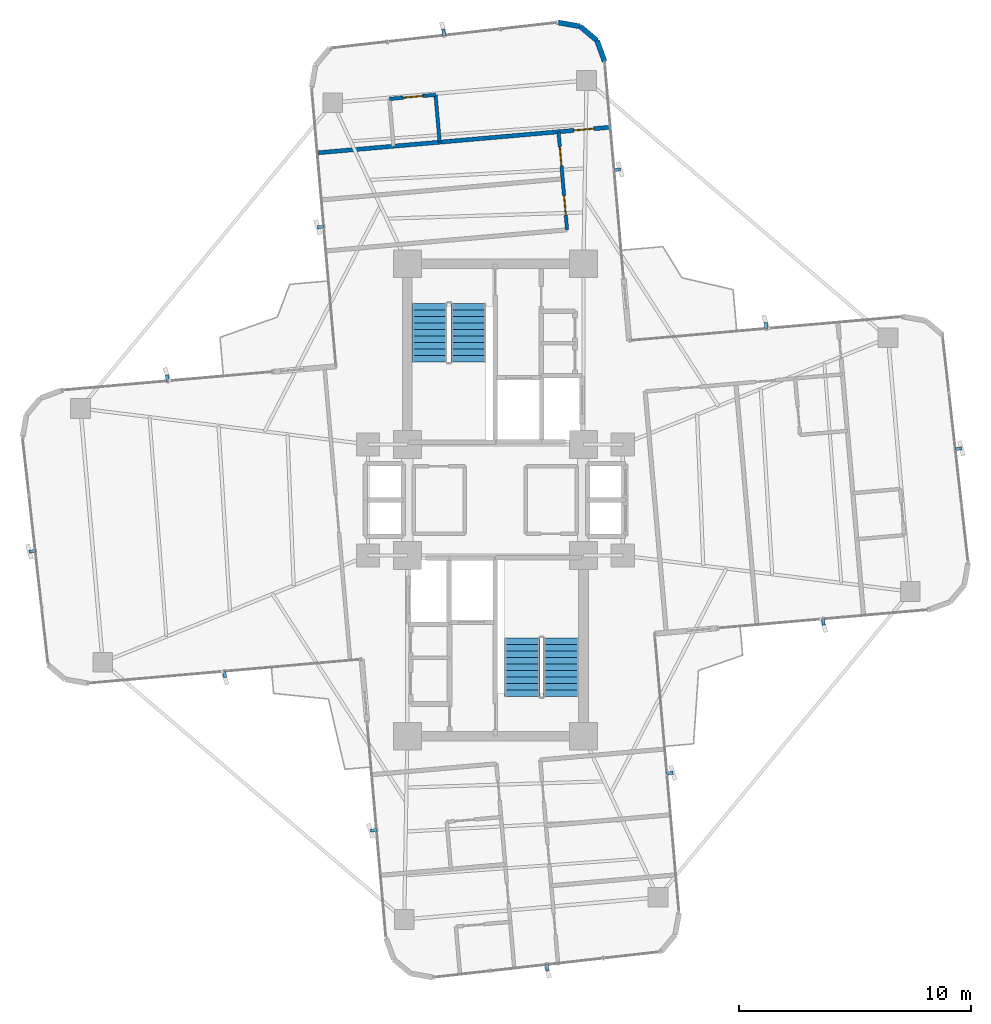
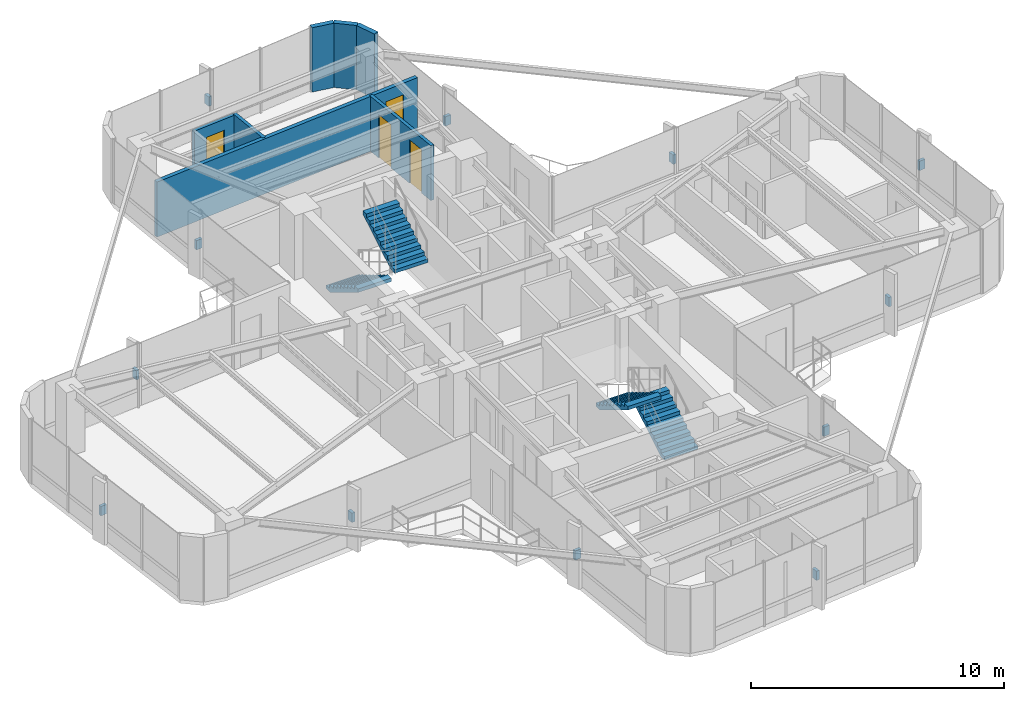
# One storey, part 23 of 24: 12 discrete accessories, 7 walls, 4 doors, 4 stair flights, 4 openings, 2 elements without a shape of their own.
"""IFC4 building model written with IfcOpenShell, lengths in metres."""

from ifc_helpers import new_model, si_unit, direction, frame, frame_2d, origin, origin_2d, place, context, subcontext, project, spatial, polyline, rectangle, outline, extrude, source, transform, mapped, material, layer, layer_set, type_object, element, fill, aggregate, save


model = new_model("IFC4")

# Units and contexts
model_context = context("Model", 3, precision=1e-05, world=origin(), true_north=direction((0.0, 1.0)))
body_context = subcontext(model_context, "Body", "Model", "MODEL_VIEW")
ifc_project = project(units=[si_unit("LENGTHUNIT", "METRE"), si_unit("AREAUNIT", "SQUARE_METRE"), si_unit("VOLUMEUNIT", "CUBIC_METRE"), si_unit("PLANEANGLEUNIT", "RADIAN"), si_unit("MASSUNIT", "GRAM", prefix="KILO")], contexts=[model_context])

# Site, building, storey
site_placement = place(None, origin())
site = spatial("IfcSite", under=ifc_project, at=site_placement, CompositionType="ELEMENT")
building_placement = place(site_placement, origin())
building = spatial("IfcBuilding", under=site, at=building_placement, Name="Sahyath Konkavel Grand Hotel", CompositionType="ELEMENT")
storey_placement = place(building_placement, frame((0.0, 0.0, 150.60009765625)))
storey = spatial("IfcBuildingStorey", under=building, at=storey_placement, Name="L41", CompositionType="ELEMENT", Elevation=150.60009765625)

# Walls
ifc_material_1 = material(Name="Warm Buff Sandstone Insulated Concrete C40/50", Category="masonry")
ifc_layer_1 = layer(ifc_material_1, 0.219970703125)
ifc_layer_set_1 = layer_set([ifc_layer_1], Name="Warm Buff Sandstone Insulated Concrete C40/50")
wall_type_1 = type_object("IfcWallType", Name="WLL-BALC-THRESH", PredefinedType="STANDARD", material=ifc_layer_set_1)
wall_1_placement = place(storey_placement, frame((4.7177734375, 18.93310546875, 0.0), z_axis=(0.0, 0.0, 1.0), x_axis=(-0.34188635151, 0.939741306239, 0.0)))
element("IfcWall", 1, at=wall_1_placement, inside=storey, type_object=wall_type_1, Name="L41 Rounded Corner Sandstone Pier 9", PredefinedType="STANDARD", context=body_context, shape_type="SweptSolid", body=[
    extrude(rectangle(XDim=0.95751953125, YDim=0.219970703125, at=frame_2d((0.478759765625, 0.0))), origin(), (0.0, 0.0, 1.0), 3.10986328125),
])
for number, where, z_axis, x_axis, name in (
    (2, (4.390380859375, 19.8330078125, 0.0), (0.0, 0.0, 1.0), (-0.765980978054, 0.642863236823, 0.0), "L41 Rounded Corner Sandstone Pier 10"),
    (3, (3.65673828125, 20.44873046875, 0.0), (0.0, 0.0, 1.0), (-0.984814340885, 0.173610811841, 0.0), "L41 Rounded Corner Sandstone Pier 11"),
):
    element("IfcWall", number, at=place(storey_placement, frame(where, z_axis=z_axis, x_axis=x_axis)), inside=storey, type_object=wall_type_1, Name=name, PredefinedType="STANDARD", context=body_context, shape_type="SweptSolid", body=[
        extrude(rectangle(XDim=0.957763671875, YDim=0.219970703125, at=frame_2d((0.47900390625, 0.0))), origin(), (0.0, 0.0, 1.0), 3.10986328125),
    ])

# Wall, opening, door
ifc_material_2 = material(Name="Twin-Stud Acoustic Gypsum Plasterboard Partition")
ifc_layer_2 = layer(ifc_material_2, 0.179931640625)
ifc_layer_set_2 = layer_set([ifc_layer_2], Name="Twin-Stud Acoustic Gypsum Plasterboard Partition")
wall_type_2 = type_object("IfcWallType", Name="WLL-DEMISE-180", PredefinedType="PARTITIONING", material=ifc_layer_set_2)
wall_2_placement = place(storey_placement, frame((4.91650390625, 16.089599609375, 0.0), z_axis=(0.0, 0.0, 1.0), x_axis=(-0.996196619285, -0.087133780622, 0.0)))
wall_2 = element("IfcWall", 4, at=wall_2_placement, inside=storey, type_object=wall_type_2, Name="L41 Partition N-NTIP-END", PredefinedType="PARTITIONING", context=body_context, shape_type="SweptSolid", body=[
    extrude(rectangle(XDim=12.60009765625, YDim=0.179931640625, at=frame_2d((6.300048828125, 0.0))), origin(), (0.0, 0.0, 1.0), 2.659912109375),
])
opening_1_placement = place(wall_2_placement, frame((0.675048828125, 0.0, 0.0)))
opening_1 = element("IfcOpeningElement", 5, at=opening_1_placement, cuts=wall_2, Name="Opening D-F06D", PredefinedType="OPENING", context=body_context, shape_type="SweptSolid", body=[
    extrude(rectangle(XDim=0.85009765625, YDim=2.10009765625, at=frame_2d((0.425048828125, 1.050048828125))), frame((0.0, 0.10009765625, 0.0), z_axis=(0.0, -1.0, 0.0), x_axis=(1.0, 0.0, 0.0)), (0.0, 0.0, 1.0), 0.199951171875),
])
ifc_material_3 = material(Name="Fire-Rated Shaft Access Door")
door_type_1 = type_object("IfcDoorType", Name="DR-FD60-850", OperationType="NOTDEFINED", PredefinedType="DOOR", material=ifc_material_3)
shared_shape_1 = source(origin(), body_context, "Body", "SweptSolid", [
    extrude(rectangle(XDim=0.85009765625, YDim=0.050048828125, at=origin_2d()), origin(), (0.0, 0.0, 1.0), 2.10009765625),
])
door_1_placement = place(opening_1_placement, frame((0.425048828125, 0.0, 0.0)))
door_1 = element("IfcDoor", 6, at=door_1_placement, inside=storey, type_object=door_type_1, Name="L41 Door N-NTIP-ED", OperationType="SINGLE_SWING_LEFT", OverallHeight=2.10009765625, OverallWidth=0.85009765625, PredefinedType="DOOR", context=body_context, shape_type="MappedRepresentation", body=[
    mapped(shared_shape_1, transform((0.0, 0.0, 0.0), scale=1.0)),
])
fill(opening_1, door_1)

# Wall, openings, doors
ifc_material_4 = material(Name="Fire-Rated Gypsum Plasterboard Partition")
ifc_layer_3 = layer(ifc_material_4, 0.14990234375)
ifc_layer_set_3 = layer_set([ifc_layer_3], Name="Fire-Rated Gypsum Plasterboard Partition")
wall_type_3 = type_object("IfcWallType", Name="WLL-PART-150", PredefinedType="PARTITIONING", material=ifc_layer_set_3)
wall_3_placement = place(storey_placement, frame((3.09521484375, 11.6640625, 0.0), z_axis=(0.0, 0.0, 1.0), x_axis=(-0.087142722004, 0.996195837173, 0.0)))
wall_3 = element("IfcWall", 7, at=wall_3_placement, inside=storey, type_object=wall_type_3, Name="L41 Partition N-G6W", PredefinedType="PARTITIONING", context=body_context, shape_type="SweptSolid", body=[
    extrude(rectangle(XDim=4.25, YDim=0.14990234375, at=frame_2d((2.125, 0.0))), origin(), (0.0, 0.0, 1.0), 2.659912109375),
])
opening_2_placement = place(wall_3_placement, frame((0.6298828125, 0.0, 0.0)))
opening_2 = element("IfcOpeningElement", 8, at=opening_2_placement, cuts=wall_3, Name="Opening D-F06D", PredefinedType="OPENING", context=body_context, shape_type="SweptSolid", body=[
    extrude(rectangle(XDim=0.85009765625, YDim=2.10009765625, at=frame_2d((0.425048828125, 1.050048828125))), frame((0.0, 0.0849609375, 0.0), z_axis=(0.0, -1.0, 0.0), x_axis=(1.0, 0.0, 0.0)), (0.0, 0.0, 1.0), 0.169921875),
])
opening_3_placement = place(wall_3_placement, frame((2.7548828125, 0.0, 0.0)))
opening_3 = element("IfcOpeningElement", 9, at=opening_3_placement, cuts=wall_3, Name="Opening D-F06D", PredefinedType="OPENING", context=body_context, shape_type="SweptSolid", body=[
    extrude(rectangle(XDim=0.85009765625, YDim=2.10009765625, at=frame_2d((0.425048828125, 1.050048828125))), frame((0.0, 0.0849609375, 0.0), z_axis=(0.0, -1.0, 0.0), x_axis=(1.0, 0.0, 0.0)), (0.0, 0.0, 1.0), 0.169921875),
])
door_2_placement = place(opening_2_placement, frame((0.425048828125, 0.0, 0.0)))
door_2 = element("IfcDoor", 10, at=door_2_placement, inside=storey, type_object=door_type_1, Name="L41 Door N-NSL6-D", OperationType="SINGLE_SWING_RIGHT", OverallHeight=2.10009765625, OverallWidth=0.85009765625, PredefinedType="DOOR", context=body_context, shape_type="MappedRepresentation", body=[
    mapped(shared_shape_1, transform((0.0, 0.0, 0.0), scale=1.0)),
])
fill(opening_2, door_2)
door_3_placement = place(opening_3_placement, frame((0.425048828125, 0.0, 0.0)))
door_3 = element("IfcDoor", 11, at=door_3_placement, inside=storey, type_object=door_type_1, Name="L41 Door N-ND6-D", OperationType="SINGLE_SWING_LEFT", OverallHeight=2.10009765625, OverallWidth=0.85009765625, PredefinedType="DOOR", context=body_context, shape_type="MappedRepresentation", body=[
    mapped(shared_shape_1, transform((0.0, 0.0, 0.0), scale=1.0)),
])
fill(opening_3, door_3)

# Wall
wall_4_placement = place(storey_placement, frame((-2.405517578125, 15.44921875, 0.0), z_axis=(0.0, 0.0, 1.0), x_axis=(-0.087184680235, 0.996192165966, 0.0)))
element("IfcWall", 12, at=wall_4_placement, inside=storey, type_object=wall_type_3, Name="L41 Partition N-NTIP-BS", PredefinedType="PARTITIONING", context=body_context, shape_type="SweptSolid", body=[
    extrude(rectangle(XDim=2.0498046875, YDim=0.14990234375, at=frame_2d((1.02490234375, 0.0))), origin(), (0.0, 0.0, 1.0), 2.659912109375),
])

# Wall, opening, door
wall_5_placement = place(storey_placement, frame((-2.584228515625, 17.4912109375, 0.0), z_axis=(0.0, 0.0, 1.0), x_axis=(-0.99619464492, -0.087156350505, 0.0)))
wall_5 = element("IfcWall", 13, at=wall_5_placement, inside=storey, type_object=wall_type_3, Name="L41 Partition N-NTIP-BE", PredefinedType="PARTITIONING", context=body_context, shape_type="SweptSolid", body=[
    extrude(rectangle(XDim=2.0, YDim=0.14990234375, at=frame_2d((1.0, 0.0))), origin(), (0.0, 0.0, 1.0), 2.6298828125),
])
opening_4_placement = place(wall_5_placement, frame((0.550048828125, 0.0, 0.0)))
opening_4 = element("IfcOpeningElement", 14, at=opening_4_placement, cuts=wall_5, Name="Opening D-BT85", PredefinedType="OPENING", context=body_context, shape_type="SweptSolid", body=[
    extrude(rectangle(XDim=0.85009765625, YDim=2.10009765625, at=frame_2d((0.425048828125, 1.050048828125))), frame((0.0, 0.0849609375, 0.0), z_axis=(0.0, -1.0, 0.0), x_axis=(1.0, 0.0, 0.0)), (0.0, 0.0, 1.0), 0.169921875),
])
ifc_material_5 = material(Name="Moisture-Resistant Teak Bathroom Door")
door_type_2 = type_object("IfcDoorType", Name="DR-BATH-850", OperationType="NOTDEFINED", PredefinedType="DOOR", material=ifc_material_5)
door_4_placement = place(opening_4_placement, frame((0.425048828125, 0.0, 0.0)))
door_4 = element("IfcDoor", 15, at=door_4_placement, inside=storey, type_object=door_type_2, Name="L41 Door N-NTIP-BD", OperationType="SINGLE_SWING_RIGHT", OverallHeight=2.10009765625, OverallWidth=0.85009765625, PredefinedType="DOOR", context=body_context, shape_type="MappedRepresentation", body=[
    mapped(shared_shape_1, transform((0.0, 0.0, 0.0), scale=1.0)),
])
fill(opening_4, door_4)

# Stair, stair flights
ifc_material_6 = material(Name="Concrete C40/50", Category="concrete")
stair_type = type_object("IfcStairType", Name="STR-ST16-335", PredefinedType="HALF_TURN_STAIR", material=ifc_material_6)
stair_1_placement = place(storey_placement, origin())
stair_1 = element("IfcStair", 16, at=stair_1_placement, inside=storey, type_object=stair_type, Name="L41 North Core Smokeproof Exit Stair ST-1", PredefinedType="HALF_TURN_STAIR")
stair_flight_type = type_object("IfcStairFlightType", Name="STF-ST16-335", PredefinedType="STRAIGHT", material=ifc_material_6)
stair_flight_1_placement = place(storey_placement, frame((-2.840087890625, 8.47998046875, 0.0), z_axis=(0.0, 0.0, 1.0), x_axis=(0.0, -1.0, 0.0)))
stair_flight_1 = element("IfcStairFlight", 17, at=stair_flight_1_placement, type_object=stair_flight_type, Name="ST-1 flight 1", NumberOfRisers=10, NumberOfTreads=9, PredefinedType="STRAIGHT", RiserHeight=0.1675, TreadLength=0.28, context=body_context, shape_type="SweptSolid", body=[
    extrude(outline(polyline([(0.0, 0.0), (0.0, 0.16748046875), (0.280029296875, 0.16748046875), (0.280029296875, 0.3349609375), (0.56005859375, 0.3349609375), (0.56005859375, 0.50244140625), (0.840087890625, 0.50244140625), (0.840087890625, 0.669921875), (1.1201171875, 0.669921875), (1.1201171875, 0.83740234375), (1.39990234375, 0.83740234375), (1.39990234375, 1.0048828125), (1.679931640625, 1.0048828125), (1.679931640625, 1.172607421875), (1.9599609375, 1.172607421875), (1.9599609375, 1.340087890625), (2.239990234375, 1.340087890625), (2.239990234375, 1.507568359375), (2.52001953125, 1.507568359375), (2.52001953125, 1.675048828125), (2.52001953125, 1.332763671875), (0.2919921875, 0.0), (0.0, 0.0)])), frame((0.0, 0.760009765625, 0.0), z_axis=(0.0, -1.0, 0.0), x_axis=(1.0, 0.0, 0.0)), (0.0, 0.0, 1.0), 1.52001953125),
])
stair_flight_2_placement = place(storey_placement, frame((-1.159912109375, 5.9599609375, 1.6748046875), z_axis=(0.0, 0.0, 1.0), x_axis=(0.0, 1.0, 0.0)))
stair_flight_2 = element("IfcStairFlight", 18, at=stair_flight_2_placement, type_object=stair_flight_type, Name="ST-1 flight 2", NumberOfRisers=10, NumberOfTreads=9, PredefinedType="STRAIGHT", RiserHeight=0.1675, TreadLength=0.28, context=body_context, shape_type="SweptSolid", body=[
    extrude(outline(polyline([(0.0, 0.0), (0.0, 0.16748046875), (0.280029296875, 0.16748046875), (0.280029296875, 0.3349609375), (0.56005859375, 0.3349609375), (0.56005859375, 0.50244140625), (0.840087890625, 0.50244140625), (0.840087890625, 0.669921875), (1.1201171875, 0.669921875), (1.1201171875, 0.83740234375), (1.39990234375, 0.83740234375), (1.39990234375, 1.0048828125), (1.679931640625, 1.0048828125), (1.679931640625, 1.172607421875), (1.9599609375, 1.172607421875), (1.9599609375, 1.340087890625), (2.239990234375, 1.340087890625), (2.239990234375, 1.507568359375), (2.52001953125, 1.507568359375), (2.52001953125, 1.675048828125), (2.52001953125, 1.332763671875), (0.2919921875, 0.0), (0.0, 0.0)])), frame((0.0, 0.760009765625, 0.0), z_axis=(0.0, -1.0, 0.0), x_axis=(1.0, 0.0, 0.0)), (0.0, 0.0, 1.0), 1.52001953125),
])
aggregate(stair_1, [stair_flight_1, stair_flight_2])

stair_2_placement = place(storey_placement, origin())
stair_2 = element("IfcStair", 19, at=stair_2_placement, inside=storey, type_object=stair_type, Name="L41 South Core Smokeproof Exit Stair ST-2", PredefinedType="HALF_TURN_STAIR")
stair_flight_3_placement = place(storey_placement, frame((2.840087890625, -8.47998046875, 0.0), z_axis=(0.0, 0.0, 1.0), x_axis=(0.0, 1.0, 0.0)))
stair_flight_3 = element("IfcStairFlight", 20, at=stair_flight_3_placement, type_object=stair_flight_type, Name="ST-2 flight 1", NumberOfRisers=10, NumberOfTreads=9, PredefinedType="STRAIGHT", RiserHeight=0.1675, TreadLength=0.28, context=body_context, shape_type="SweptSolid", body=[
    extrude(outline(polyline([(0.0, 0.0), (0.0, 0.16748046875), (0.280029296875, 0.16748046875), (0.280029296875, 0.3349609375), (0.56005859375, 0.3349609375), (0.56005859375, 0.50244140625), (0.840087890625, 0.50244140625), (0.840087890625, 0.669921875), (1.1201171875, 0.669921875), (1.1201171875, 0.83740234375), (1.39990234375, 0.83740234375), (1.39990234375, 1.0048828125), (1.679931640625, 1.0048828125), (1.679931640625, 1.172607421875), (1.9599609375, 1.172607421875), (1.9599609375, 1.340087890625), (2.239990234375, 1.340087890625), (2.239990234375, 1.507568359375), (2.52001953125, 1.507568359375), (2.52001953125, 1.675048828125), (2.52001953125, 1.332763671875), (0.2919921875, 0.0), (0.0, 0.0)])), frame((0.0, 0.760009765625, 0.0), z_axis=(0.0, -1.0, 0.0), x_axis=(1.0, 0.0, 0.0)), (0.0, 0.0, 1.0), 1.52001953125),
])
stair_flight_4_placement = place(storey_placement, frame((1.159912109375, -5.9599609375, 1.6748046875), z_axis=(0.0, 0.0, 1.0), x_axis=(0.0, -1.0, 0.0)))
stair_flight_4 = element("IfcStairFlight", 21, at=stair_flight_4_placement, type_object=stair_flight_type, Name="ST-2 flight 2", NumberOfRisers=10, NumberOfTreads=9, PredefinedType="STRAIGHT", RiserHeight=0.1675, TreadLength=0.28, context=body_context, shape_type="SweptSolid", body=[
    extrude(outline(polyline([(0.0, 0.0), (0.0, 0.16748046875), (0.280029296875, 0.16748046875), (0.280029296875, 0.3349609375), (0.56005859375, 0.3349609375), (0.56005859375, 0.50244140625), (0.840087890625, 0.50244140625), (0.840087890625, 0.669921875), (1.1201171875, 0.669921875), (1.1201171875, 0.83740234375), (1.39990234375, 0.83740234375), (1.39990234375, 1.0048828125), (1.679931640625, 1.0048828125), (1.679931640625, 1.172607421875), (1.9599609375, 1.172607421875), (1.9599609375, 1.340087890625), (2.239990234375, 1.340087890625), (2.239990234375, 1.507568359375), (2.52001953125, 1.507568359375), (2.52001953125, 1.675048828125), (2.52001953125, 1.332763671875), (0.2919921875, 0.0), (0.0, 0.0)])), frame((0.0, 0.760009765625, 0.0), z_axis=(0.0, -1.0, 0.0), x_axis=(1.0, 0.0, 0.0)), (0.0, 0.0, 1.0), 1.52001953125),
])
aggregate(stair_2, [stair_flight_3, stair_flight_4])

# Discrete accessories
ifc_material_7 = material(Name="Steel E350", Category="steel")
discrete_accessory_type = type_object("IfcDiscreteAccessoryType", Name="ACC-FIN-BRACKET", PredefinedType="BRACKET", material=ifc_material_7)
shared_shape_2 = source(origin(), body_context, "Body", "SweptSolid", [
    extrude(rectangle(XDim=0.280029296875, YDim=0.139892578125, at=origin_2d()), origin(), (0.0, 0.0, 1.0), 0.449951171875),
])
for number, where, z_axis, x_axis, name in (
    (22, (14.162841796875, -5.265625, 1.330078125), (0.0, 0.0, 1.0), (0.087155742748, -0.996194698092, 0.0), "L41 Fin Support Bracket F0-1"),
    (23, (19.989013671875, 2.21630859375, 1.330078125), (0.0, 0.0, 1.0), (0.993709417943, 0.111989252568, 0.0), "L41 Fin Support Bracket F4-2"),
    (24, (11.6884765625, 7.52734375, 1.330078125), (0.0, 0.0, 1.0), (-0.087155742748, 0.996194698092, 0.0), "L41 Fin Support Bracket F7-1"),
    (25, (5.2568359375, 14.262451171875, 1.330078125), (0.0, 0.0, 1.0), (0.996194698092, 0.087155742748, 0.0), "L41 Fin Support Bracket F8-1"),
    (26, (-2.23388671875, 20.188232421875, 1.330078125), (0.0, 0.0, 1.0), (-0.112006596052, 0.993707463211, 0.0), "L41 Fin Support Bracket F12-2"),
    (27, (-7.5361328125, 11.7880859375, 1.330078125), (0.0, 0.0, 1.0), (-0.996194698092, -0.087155742748, 0.0), "L41 Fin Support Bracket F15-1"),
    (28, (-14.162841796875, 5.265625, 1.330078125), (0.0, 0.0, 1.0), (-0.087155742748, 0.996194698092, 0.0), "L41 Fin Support Bracket F16-1"),
    (29, (-19.989013671875, -2.21630859375, 1.330078125), (0.0, 0.0, 1.0), (-0.993709417943, -0.111989252568, 0.0), "L41 Fin Support Bracket F20-2"),
    (30, (-11.6884765625, -7.52734375, 1.330078125), (0.0, 0.0, 1.0), (0.087155742748, -0.996194698092, 0.0), "L41 Fin Support Bracket F23-1"),
    (31, (-5.2568359375, -14.262451171875, 1.330078125), (0.0, 0.0, 1.0), (-0.996194698092, -0.087155742748, 0.0), "L41 Fin Support Bracket F24-1"),
    (32, (2.23388671875, -20.188232421875, 1.330078125), (0.0, 0.0, 1.0), (0.112006596052, -0.993707463211, 0.0), "L41 Fin Support Bracket F28-2"),
    (33, (7.5361328125, -11.7880859375, 1.330078125), (0.0, 0.0, 1.0), (0.996194698092, 0.087155742748, 0.0), "L41 Fin Support Bracket F31-1"),
):
    element("IfcDiscreteAccessory", number, at=place(storey_placement, frame(where, z_axis=z_axis, x_axis=x_axis)), inside=storey, type_object=discrete_accessory_type, Name=name, PredefinedType="BRACKET", context=body_context, shape_type="MappedRepresentation", body=[
        mapped(shared_shape_2, transform((0.0, 0.0, 0.0), scale=1.0)),
    ])

save(model, "model.ifc")
